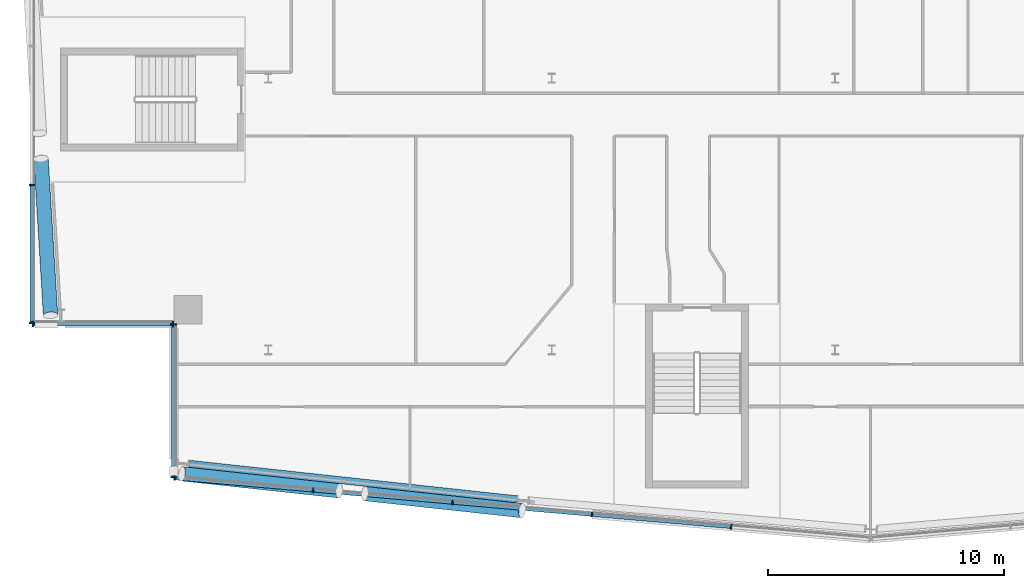
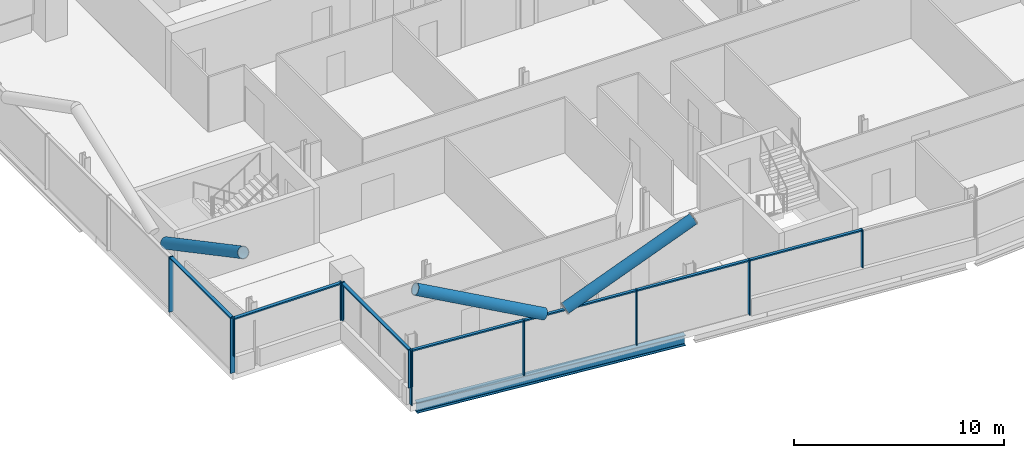
# One storey, part 5 of 27: 21 members, 1 beam, 4 elements without a shape of their own.
"""IFC4 building model written with IfcOpenShell, lengths in metres."""

from ifc_helpers import new_model, si_unit, direction, frame, origin, origin_2d, place, context, subcontext, project, spatial, rectangle, hollow_circle, i_section, extrude, material, material_profile, profile_set, type_object, element, aggregate, save


model = new_model("IFC4")

# Units and contexts
model_context = context("Model", 3, precision=1e-05, world=origin(), true_north=direction((0.0, 1.0)))
body_context = subcontext(model_context, "Body", "Model", "MODEL_VIEW")
ifc_project = project(units=[si_unit("LENGTHUNIT", "METRE"), si_unit("AREAUNIT", "SQUARE_METRE"), si_unit("VOLUMEUNIT", "CUBIC_METRE"), si_unit("PLANEANGLEUNIT", "RADIAN"), si_unit("MASSUNIT", "GRAM", prefix="KILO")], contexts=[model_context])

# Site, building, storey
site_placement = place(None, origin())
site = spatial("IfcSite", under=ifc_project, at=site_placement, CompositionType="ELEMENT")
building_placement = place(site_placement, origin())
building = spatial("IfcBuilding", under=site, at=building_placement, Name="Wharfspan Tower", CompositionType="ELEMENT")
storey_placement = place(building_placement, frame((0.0, 0.0, 243.100098)))
storey = spatial("IfcBuildingStorey", under=building, at=storey_placement, Name="L61", CompositionType="ELEMENT", Elevation=243.100098)

# Beam
ifc_material_1 = material(Name="Steel S355J2", Category="steel")
ifc_material_profile_1 = material_profile(ifc_material_1, i_section(OverallWidth=0.300049, OverallDepth=0.600098, WebThickness=0.015381, FlangeThickness=0.030029, FilletRadius=0.0271, at=origin_2d()))
ifc_profile_set_1 = profile_set([ifc_material_profile_1], Name="Steel S355J2")
beam_type = type_object("IfcBeamType", Name="Edge beam HEB 600", PredefinedType="SPANDREL", material=ifc_profile_set_1)
beam_placement = place(storey_placement, frame((20.648682, 6.674805, -0.700195), z_axis=(0.99418, -0.107732, 0.0), x_axis=(0.107732, 0.99418, 0.0)))
element("IfcBeam", 1, at=beam_placement, inside=storey, type_object=beam_type, Name="Edge beam S1 L61 PS1.1 to PS1.2", PredefinedType="SPANDREL", context=body_context, shape_type="SweptSolid", body=[
    extrude(i_section(OverallWidth=0.300049, OverallDepth=0.600098, WebThickness=0.015381, FlangeThickness=0.030029, FilletRadius=0.0271, at=origin_2d()), origin(), (0.0, 0.0, 1.0), 13.95752),
])

# Curtain wall, members
ifc_material_2 = material(Name="Aluminium 6063-T6", Category="aluminium")
curtain_wall_type_1 = type_object("IfcCurtainWallType", Name="CURTAIN WALL FACETED FRONT", PredefinedType="NOTDEFINED", material=ifc_material_2)
curtain_wall_1_placement = place(storey_placement, origin())
curtain_wall_1 = element("IfcCurtainWall", 2, at=curtain_wall_1_placement, inside=storey, type_object=curtain_wall_type_1, Name="Curtain wall S1", PredefinedType="NOTDEFINED")
ifc_material_profile_2 = material_profile(ifc_material_2, rectangle(XDim=0.199951, YDim=0.060059, at=origin_2d()))
ifc_profile_set_2 = profile_set([ifc_material_profile_2], Name="Aluminium 6063-T6")
member_type_1 = type_object("IfcMemberType", Name="MULLION FACETED FRONT 60x200", PredefinedType="MULLION", material=ifc_profile_set_2)
member_1_placement = place(storey_placement, frame((20.029785, 6.07251, 0.0), z_axis=(0.0, 0.0, 1.0), x_axis=(0.087156, 0.996197, 0.0)))
member_1 = element("IfcMember", 3, at=member_1_placement, type_object=member_type_1, Name="Curtain wall S1 mullion 1", PredefinedType="MULLION", context=body_context, shape_type="SweptSolid", body=[
    extrude(rectangle(XDim=0.199951, YDim=0.060059, at=origin_2d()), origin(), (0.0, 0.0, 1.0), 3.199951),
])
member_2_placement = place(storey_placement, frame((25.899902, 5.558838, 0.0), z_axis=(0.0, 0.0, 1.0), x_axis=(0.087156, 0.996197, 0.0)))
member_2 = element("IfcMember", 4, at=member_2_placement, type_object=member_type_1, Name="Curtain wall S1 mullion 2", PredefinedType="MULLION", context=body_context, shape_type="SweptSolid", body=[
    extrude(rectangle(XDim=0.199951, YDim=0.060059, at=origin_2d()), origin(), (0.0, 0.0, 1.0), 3.199951),
])
member_3_placement = place(storey_placement, frame((31.800049, 5.042725, 0.0), z_axis=(0.0, 0.0, 1.0), x_axis=(0.087156, 0.996197, 0.0)))
member_3 = element("IfcMember", 5, at=member_3_placement, type_object=member_type_1, Name="Curtain wall S1 mullion 3", PredefinedType="MULLION", context=body_context, shape_type="SweptSolid", body=[
    extrude(rectangle(XDim=0.199951, YDim=0.060059, at=origin_2d()), origin(), (0.0, 0.0, 1.0), 3.199951),
])
member_4_placement = place(storey_placement, frame((37.699951, 4.526611, 0.0), z_axis=(0.0, 0.0, 1.0), x_axis=(0.087156, 0.996197, 0.0)))
member_4 = element("IfcMember", 6, at=member_4_placement, type_object=member_type_1, Name="Curtain wall S1 mullion 4", PredefinedType="MULLION", context=body_context, shape_type="SweptSolid", body=[
    extrude(rectangle(XDim=0.199951, YDim=0.060059, at=origin_2d()), origin(), (0.0, 0.0, 1.0), 3.199951),
])
member_5_placement = place(storey_placement, frame((43.600098, 4.010254, 1.0), z_axis=(0.0, 0.0, 1.0), x_axis=(0.087156, 0.996197, 0.0)))
member_5 = element("IfcMember", 7, at=member_5_placement, type_object=member_type_1, Name="Curtain wall S1 mullion 5", PredefinedType="MULLION", context=body_context, shape_type="SweptSolid", body=[
    extrude(rectangle(XDim=0.199951, YDim=0.060059, at=origin_2d()), origin(), (0.0, 0.0, 1.0), 2.199951),
])

curtain_wall_type_2 = type_object("IfcCurtainWallType", Name="CURTAIN WALL PROW AND END", PredefinedType="NOTDEFINED", material=ifc_material_2)
curtain_wall_2_placement = place(storey_placement, origin())
curtain_wall_2 = element("IfcCurtainWall", 8, at=curtain_wall_2_placement, inside=storey, type_object=curtain_wall_type_2, Name="Curtain wall W", PredefinedType="NOTDEFINED")
ifc_material_profile_3 = material_profile(ifc_material_2, rectangle(XDim=0.23999, YDim=0.060059, at=origin_2d()))
ifc_profile_set_3 = profile_set([ifc_material_profile_3], Name="Aluminium 6063-T6")
member_type_2 = type_object("IfcMemberType", Name="MULLION PROW AND END 60x240", PredefinedType="MULLION", material=ifc_profile_set_3)
member_6_placement = place(storey_placement, frame((14.0, 18.47998, 0.0), z_axis=(0.0, 0.0, 1.0), x_axis=(1.0, 0.0, 0.0)))
member_6 = element("IfcMember", 9, at=member_6_placement, type_object=member_type_2, Name="Curtain wall W mullion 5", PredefinedType="MULLION", context=body_context, shape_type="SweptSolid", body=[
    extrude(rectangle(XDim=0.23999, YDim=0.060059, at=origin_2d()), origin(), (0.0, 0.0, 1.0), 3.199951),
])
member_7_placement = place(storey_placement, frame((14.0, 12.629883, 0.0), z_axis=(0.0, 0.0, 1.0), x_axis=(1.0, 0.0, 0.0)))
member_7 = element("IfcMember", 10, at=member_7_placement, type_object=member_type_2, Name="Curtain wall W mullion 6", PredefinedType="MULLION", context=body_context, shape_type="SweptSolid", body=[
    extrude(rectangle(XDim=0.23999, YDim=0.060059, at=origin_2d()), origin(), (0.0, 0.0, 1.0), 3.199951),
])

curtain_wall_3_placement = place(storey_placement, origin())
curtain_wall_3 = element("IfcCurtainWall", 11, at=curtain_wall_3_placement, inside=storey, type_object=curtain_wall_type_2, Name="Curtain wall NFW-H", PredefinedType="NOTDEFINED")
member_8_placement = place(storey_placement, frame((14.030029, 12.600098, 1.0), z_axis=(0.0, 0.0, 1.0), x_axis=(0.0, 1.0, 0.0)))
member_8 = element("IfcMember", 12, at=member_8_placement, type_object=member_type_2, Name="Curtain wall NFW-H mullion 1", PredefinedType="MULLION", context=body_context, shape_type="SweptSolid", body=[
    extrude(rectangle(XDim=0.23999, YDim=0.060059, at=origin_2d()), origin(), (0.0, 0.0, 1.0), 2.199951),
])
member_9_placement = place(storey_placement, frame((19.969971, 12.600098, 1.0), z_axis=(0.0, 0.0, 1.0), x_axis=(0.0, 1.0, 0.0)))
member_9 = element("IfcMember", 13, at=member_9_placement, type_object=member_type_2, Name="Curtain wall NFW-H mullion 2", PredefinedType="MULLION", context=body_context, shape_type="SweptSolid", body=[
    extrude(rectangle(XDim=0.23999, YDim=0.060059, at=origin_2d()), origin(), (0.0, 0.0, 1.0), 2.199951),
])

curtain_wall_4_placement = place(storey_placement, origin())
curtain_wall_4 = element("IfcCurtainWall", 14, at=curtain_wall_4_placement, inside=storey, type_object=curtain_wall_type_2, Name="Curtain wall NFW-V", PredefinedType="NOTDEFINED")
member_10_placement = place(storey_placement, frame((20.0, 12.570068, 1.0), z_axis=(0.0, 0.0, 1.0), x_axis=(1.0, 0.0, 0.0)))
member_10 = element("IfcMember", 15, at=member_10_placement, type_object=member_type_2, Name="Curtain wall NFW-V mullion 1", PredefinedType="MULLION", context=body_context, shape_type="SweptSolid", body=[
    extrude(rectangle(XDim=0.23999, YDim=0.060059, at=origin_2d()), origin(), (0.0, 0.0, 1.0), 2.199951),
])
member_11_placement = place(storey_placement, frame((20.0, 6.10498, 1.0), z_axis=(0.0, 0.0, 1.0), x_axis=(1.0, 0.0, 0.0)))
member_11 = element("IfcMember", 16, at=member_11_placement, type_object=member_type_2, Name="Curtain wall NFW-V mullion 2", PredefinedType="MULLION", context=body_context, shape_type="SweptSolid", body=[
    extrude(rectangle(XDim=0.23999, YDim=0.060059, at=origin_2d()), origin(), (0.0, 0.0, 1.0), 2.199951),
])

# Members
ifc_material_3 = material(Name="Steel S460NH", Category="steel")
ifc_material_profile_4 = material_profile(ifc_material_3, hollow_circle(Radius=0.304932, WallThickness=0.024902, at=origin_2d()))
ifc_profile_set_4 = profile_set([ifc_material_profile_4], Name="Steel S460NH")
member_type_3 = type_object("IfcMemberType", Name="Mega brace CHS 610x25", PredefinedType="BRACE", material=ifc_profile_set_4)
for number, where, z_axis, x_axis, name in (
    (17, (28.088867, 5.410889, 3.170898), (0.890113, -0.096459, 0.445416), (0.107734, 0.994176, 4e-06), "Mega brace S1 L61 part 2"),
    (18, (27.005371, 5.52832, 3.170898), (-0.890113, 0.096459, 0.445416), (-0.107734, -0.994176, 4e-06), "Mega brace S1 L61 part 4"),
):
    element("IfcMember", number, at=place(storey_placement, frame(where, z_axis=z_axis, x_axis=x_axis)), inside=storey, type_object=member_type_3, Name=name, PredefinedType="BRACE", context=body_context, shape_type="SweptSolid", body=[
        extrude(hollow_circle(Radius=0.304932, WallThickness=0.024902, at=origin_2d()), origin(), (0.0, 0.0, 1.0), 7.474121),
    ])
member_12_placement = place(storey_placement, frame((14.376953, 19.592773, 3.170654), z_axis=(0.054615, -0.892302, 0.448123), x_axis=(0.998132, 0.061091, -3e-06)))
element("IfcMember", 19, at=member_12_placement, inside=storey, type_object=member_type_3, Name="Mega brace W4 L61 part 2", PredefinedType="BRACE", context=body_context, shape_type="SweptSolid", body=[
    extrude(hollow_circle(Radius=0.304932, WallThickness=0.024902, at=origin_2d()), origin(), (0.0, 0.0, 1.0), 7.429443),
])

# Member
ifc_material_profile_5 = material_profile(ifc_material_2, rectangle(XDim=0.159912, YDim=0.080078, at=origin_2d()))
ifc_profile_set_5 = profile_set([ifc_material_profile_5], Name="Aluminium 6063-T6")
member_type_4 = type_object("IfcMemberType", Name="TRANSOM FACETED FRONT 80x160", PredefinedType="USERDEFINED", material=ifc_profile_set_5)
member_13_placement = place(storey_placement, frame((20.059814, 6.069824, 3.159912), z_axis=(0.996195, -0.08715, 0.0), x_axis=(0.08715, 0.996195, 0.0)))
member_13 = element("IfcMember", 20, at=member_13_placement, type_object=member_type_4, Name="Curtain wall S1 transom 1", ObjectType="TRANSOM", PredefinedType="USERDEFINED", context=body_context, shape_type="SweptSolid", body=[
    extrude(rectangle(XDim=0.159912, YDim=0.080078, at=origin_2d()), origin(), (0.0, 0.0, 1.0), 5.83252),
])

member_14_placement = place(storey_placement, frame((25.929932, 5.556152, 3.159912), z_axis=(0.996198, -0.087122, 0.0), x_axis=(0.087122, 0.996198, 0.0)))
member_14 = element("IfcMember", 21, at=member_14_placement, type_object=member_type_4, Name="Curtain wall S1 transom 2", ObjectType="TRANSOM", PredefinedType="USERDEFINED", context=body_context, shape_type="SweptSolid", body=[
    extrude(rectangle(XDim=0.159912, YDim=0.080078, at=origin_2d()), origin(), (0.0, 0.0, 1.0), 5.862305),
])

member_15_placement = place(storey_placement, frame((31.829834, 5.040039, 3.159912), z_axis=(0.996194, -0.08716, 0.0), x_axis=(0.08716, 0.996194, 0.0)))
member_15 = element("IfcMember", 22, at=member_15_placement, type_object=member_type_4, Name="Curtain wall S1 transom 3", ObjectType="TRANSOM", PredefinedType="USERDEFINED", context=body_context, shape_type="SweptSolid", body=[
    extrude(rectangle(XDim=0.159912, YDim=0.080078, at=origin_2d()), origin(), (0.0, 0.0, 1.0), 5.862549),
])

member_16_placement = place(storey_placement, frame((37.72998, 4.523926, 3.159912), z_axis=(0.996194, -0.087163, 0.0), x_axis=(0.087163, 0.996194, 0.0)))
member_16 = element("IfcMember", 23, at=member_16_placement, type_object=member_type_4, Name="Curtain wall S1 transom 4", ObjectType="TRANSOM", PredefinedType="USERDEFINED", context=body_context, shape_type="SweptSolid", body=[
    extrude(rectangle(XDim=0.159912, YDim=0.080078, at=origin_2d()), origin(), (0.0, 0.0, 1.0), 5.862305),
])

aggregate(curtain_wall_1, [member_1, member_2, member_3, member_4, member_5, member_13, member_14, member_15, member_16])

ifc_material_profile_6 = material_profile(ifc_material_2, rectangle(XDim=0.179932, YDim=0.080078, at=origin_2d()))
ifc_profile_set_6 = profile_set([ifc_material_profile_6], Name="Aluminium 6063-T6")
member_type_5 = type_object("IfcMemberType", Name="TRANSOM PROW AND END 80x180", PredefinedType="USERDEFINED", material=ifc_profile_set_6)
member_17_placement = place(storey_placement, frame((14.0, 18.449951, 3.159912), z_axis=(0.0, -1.0, 0.0), x_axis=(1.0, 0.0, 0.0)))
member_17 = element("IfcMember", 24, at=member_17_placement, type_object=member_type_5, Name="Curtain wall W transom 5", ObjectType="TRANSOM", PredefinedType="USERDEFINED", context=body_context, shape_type="SweptSolid", body=[
    extrude(rectangle(XDim=0.179932, YDim=0.080078, at=origin_2d()), origin(), (0.0, 0.0, 1.0), 5.790039),
])

aggregate(curtain_wall_2, [member_6, member_7, member_17])

member_18_placement = place(storey_placement, frame((14.060059, 12.600098, 3.159912), z_axis=(1.0, 0.0, 0.0), x_axis=(0.0, 1.0, 0.0)))
member_18 = element("IfcMember", 25, at=member_18_placement, type_object=member_type_5, Name="Curtain wall NFW-H transom 1", ObjectType="TRANSOM", PredefinedType="USERDEFINED", context=body_context, shape_type="SweptSolid", body=[
    extrude(rectangle(XDim=0.179932, YDim=0.080078, at=origin_2d()), origin(), (0.0, 0.0, 1.0), 5.879883),
])

aggregate(curtain_wall_3, [member_8, member_9, member_18])

member_19_placement = place(storey_placement, frame((20.0, 12.540039, 3.159912), z_axis=(0.0, -1.0, 0.0), x_axis=(1.0, 0.0, 0.0)))
member_19 = element("IfcMember", 26, at=member_19_placement, type_object=member_type_5, Name="Curtain wall NFW-V transom 1", ObjectType="TRANSOM", PredefinedType="USERDEFINED", context=body_context, shape_type="SweptSolid", body=[
    extrude(rectangle(XDim=0.179932, YDim=0.080078, at=origin_2d()), origin(), (0.0, 0.0, 1.0), 6.405029),
])

aggregate(curtain_wall_4, [member_10, member_11, member_19])

save(model, "model.ifc")
